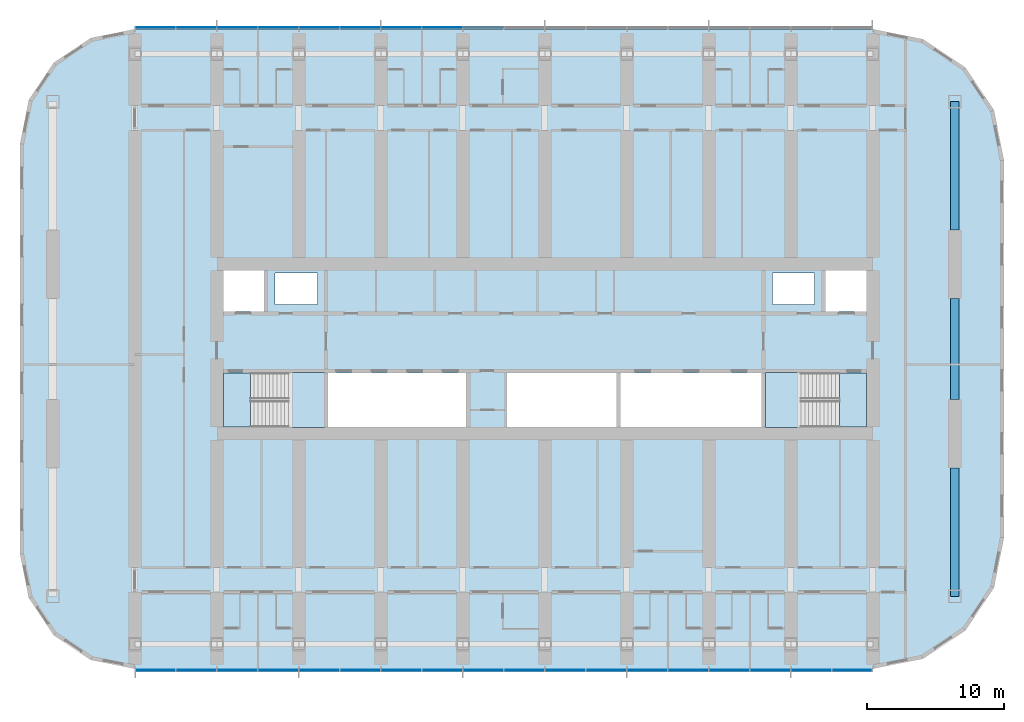
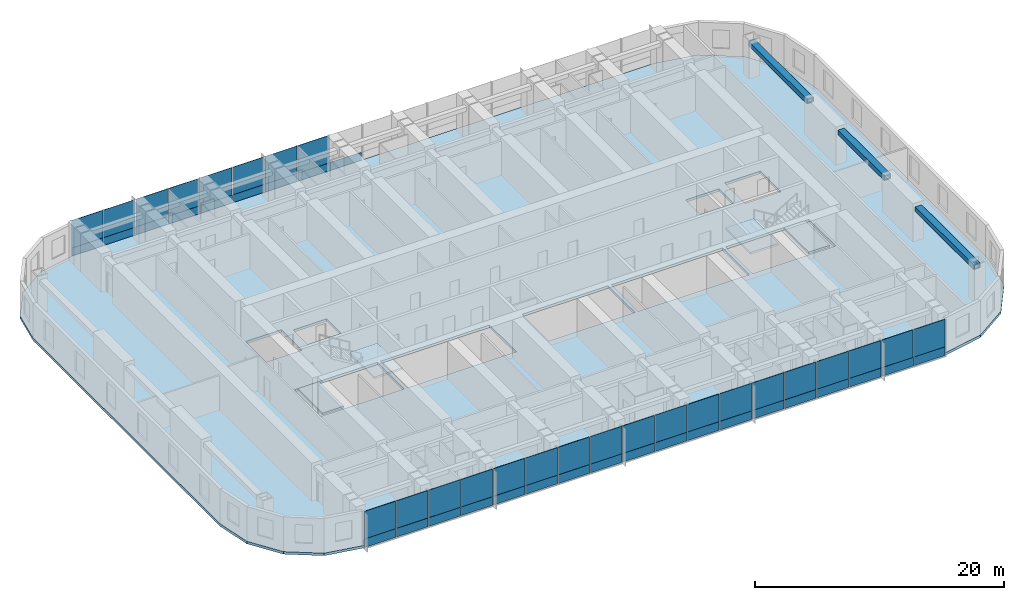
# One storey, part 6 of 20: 53 plates, 5 slabs, 3 beams, 4 elements without a shape of their own.
"""IFC4 building model written with IfcOpenShell, lengths in metres."""

from ifc_helpers import new_model, si_unit, direction, frame, origin, origin_2d, place, context, subcontext, project, spatial, polyline, rectangle, hollow_rectangle, outline, extrude, material, layer, layer_set, material_profile, profile_set, type_object, element, aggregate, save


model = new_model("IFC4")

# Units and contexts
model_context = context("Model", 3, precision=1e-05, world=origin(), true_north=direction((0.0, 1.0)))
body_context = subcontext(model_context, "Body", "Model", "MODEL_VIEW")
ifc_project = project(units=[si_unit("LENGTHUNIT", "METRE"), si_unit("AREAUNIT", "SQUARE_METRE"), si_unit("VOLUMEUNIT", "CUBIC_METRE"), si_unit("PLANEANGLEUNIT", "RADIAN"), si_unit("MASSUNIT", "GRAM", prefix="KILO")], contexts=[model_context])

# Site, building, storey
site_placement = place(None, origin())
site = spatial("IfcSite", under=ifc_project, at=site_placement, CompositionType="ELEMENT")
building_placement = place(site_placement, origin())
building = spatial("IfcBuilding", under=site, at=building_placement, Name="Orbita Commons", CompositionType="ELEMENT")
storey_placement = place(building_placement, frame((0.0, 0.0, 129.39990234375)))
storey = spatial("IfcBuildingStorey", under=building, at=storey_placement, Name="L32", CompositionType="ELEMENT", Elevation=129.39990234375)

# Beams
ifc_material_1 = material(Name="Steel ASTM A572 Gr 50 welded plate", Category="steel")
ifc_material_profile = material_profile(ifc_material_1, hollow_rectangle(XDim=0.60009765625, YDim=0.449951171875, WallThickness=0.06005859375, at=origin_2d()), Name="BOX 450x600x60")
ifc_profile_set = profile_set([ifc_material_profile], Name="Steel ASTM A572 Gr 50 welded plate")
beam_type = type_object("IfcBeamType", Name="Steel end frame link BOX 450x600x60", PredefinedType="BEAM", material=ifc_profile_set)
beam_1_placement = place(storey_placement, frame((72.0, 13.89990234375, 3.175048828125), z_axis=(0.0, 1.0, 0.0), x_axis=(-1.0, 0.0, 0.0)))
element("IfcBeam", 1, at=beam_1_placement, inside=storey, type_object=beam_type, Name="End frame beam 13 B-C L32", PredefinedType="BEAM", context=body_context, shape_type="SweptSolid", body=[
    extrude(hollow_rectangle(XDim=0.60009765625, YDim=0.449951171875, WallThickness=0.06005859375, at=origin_2d()), origin(), (0.0, 0.0, 1.0), 9.400146484375),
])
beam_2_placement = place(storey_placement, frame((72.0, 28.300048828125, 3.175048828125), z_axis=(0.0, 1.0, 0.0), x_axis=(-1.0, 0.0, 0.0)))
element("IfcBeam", 2, at=beam_2_placement, inside=storey, type_object=beam_type, Name="End frame beam 13 C-D L32", PredefinedType="BEAM", context=body_context, shape_type="SweptSolid", body=[
    extrude(hollow_rectangle(XDim=0.60009765625, YDim=0.449951171875, WallThickness=0.06005859375, at=origin_2d()), origin(), (0.0, 0.0, 1.0), 7.39990234375),
])
beam_3_placement = place(storey_placement, frame((72.0, 40.699951171875, 3.175048828125), z_axis=(0.0, 1.0, 0.0), x_axis=(-1.0, 0.0, 0.0)))
element("IfcBeam", 3, at=beam_3_placement, inside=storey, type_object=beam_type, Name="End frame beam 13 D-E L32", PredefinedType="BEAM", context=body_context, shape_type="SweptSolid", body=[
    extrude(hollow_rectangle(XDim=0.60009765625, YDim=0.449951171875, WallThickness=0.06005859375, at=origin_2d()), origin(), (0.0, 0.0, 1.0), 9.400146484375),
])

# Slab
ifc_material_2 = material(Name="Concrete C40/50", Category="concrete")
ifc_layer_1 = layer(ifc_material_2, 0.25)
ifc_layer_set_1 = layer_set([ifc_layer_1], Name="Concrete C40/50")
slab_type_1 = type_object("IfcSlabType", Name="Floor slab 250", PredefinedType="FLOOR", material=ifc_layer_set_1)
slab_1_placement = place(storey_placement, frame((0.0, 0.0, -0.25)))
element("IfcSlab", 4, at=slab_1_placement, inside=storey, type_object=slab_type_1, Name="Floor slab L32", PredefinedType="FLOOR", context=body_context, shape_type="SweptSolid", body=[
    extrude(outline(polyline([(66.0, 8.60009765625), (69.673828125, 9.330810546875), (72.788330078125, 11.411865234375), (74.869140625, 14.526123046875), (75.60009765625, 18.199951171875), (75.60009765625, 45.800048828125), (74.869140625, 49.473876953125), (72.788330078125, 52.588134765625), (69.673828125, 54.669189453125), (66.0, 55.39990234375), (12.0, 55.39990234375), (8.785400390625, 54.760498046875), (6.060302734375, 52.939697265625), (4.239501953125, 50.214599609375), (3.60009765625, 47.0), (3.60009765625, 17.0), (4.239501953125, 13.785400390625), (6.060302734375, 11.060302734375), (8.785400390625, 9.239501953125), (12.0, 8.60009765625), (66.0, 8.60009765625)]), holes=[polyline([(18.14990234375, 25.949951171875), (25.85009765625, 25.949951171875), (25.85009765625, 30.25), (18.14990234375, 30.25), (18.14990234375, 25.949951171875)]), polyline([(58.14990234375, 25.949951171875), (65.85009765625, 25.949951171875), (65.85009765625, 30.25), (58.14990234375, 30.25), (58.14990234375, 25.949951171875)]), polyline([(18.14990234375, 34.75), (21.449951171875, 34.75), (21.449951171875, 38.050048828125), (18.14990234375, 38.050048828125), (18.14990234375, 34.75)]), polyline([(62.550048828125, 34.75), (65.85009765625, 34.75), (65.85009765625, 38.050048828125), (62.550048828125, 38.050048828125), (62.550048828125, 34.75)]), polyline([(22.25, 35.25), (25.35009765625, 35.25), (25.35009765625, 37.550048828125), (22.25, 37.550048828125), (22.25, 35.25)]), polyline([(58.64990234375, 35.25), (61.75, 35.25), (61.75, 37.550048828125), (58.64990234375, 37.550048828125), (58.64990234375, 35.25)]), polyline([(26.14990234375, 25.949951171875), (36.25, 25.949951171875), (36.25, 30.25), (26.14990234375, 30.25), (26.14990234375, 25.949951171875)]), polyline([(39.25, 25.949951171875), (47.25, 25.949951171875), (47.25, 30.25), (39.25, 30.25), (39.25, 25.949951171875)]), polyline([(47.550048828125, 25.949951171875), (57.85009765625, 25.949951171875), (57.85009765625, 30.25), (47.550048828125, 30.25), (47.550048828125, 25.949951171875)])]), origin(), (0.0, 0.0, 1.0), 0.25),
])

# Curtain wall, plates
ifc_material_3 = material(Name="Anodised aluminium frame, pale silver", Category="aluminium")
curtain_wall_type = type_object("IfcCurtainWallType", Name="Unitised curtain wall CW-T, vision and spandrel", PredefinedType="NOTDEFINED", material=ifc_material_3)
curtain_wall_1_placement = place(storey_placement, origin())
curtain_wall_1 = element("IfcCurtainWall", 5, at=curtain_wall_1_placement, inside=storey, type_object=curtain_wall_type, Name="Curtain wall south L32", PredefinedType="NOTDEFINED")
ifc_material_4 = material(Name="Anodised aluminium sheet on mineral wool", Category="aluminium")
ifc_layer_2 = layer(ifc_material_4, 0.050048828125)
ifc_layer_set_2 = layer_set([ifc_layer_2], Name="Anodised aluminium sheet on mineral wool")
plate_type_1 = type_object("IfcPlateType", Name="Spandrel panel, pale aluminium over insulation 50", PredefinedType="CURTAIN_PANEL", material=ifc_layer_set_2)
plate_1_placement = place(storey_placement, frame((13.52001953125, 8.489990234375, -0.14990234375), z_axis=(0.0, 0.0, 1.0), x_axis=(1.0, 0.0, 0.0)))
plate_1 = element("IfcPlate", 6, at=plate_1_placement, type_object=plate_type_1, Name="Panel 1.1 CW-L32-S", PredefinedType="CURTAIN_PANEL", context=body_context, shape_type="SweptSolid", body=[
    extrude(rectangle(XDim=2.8798828125, YDim=0.050048828125, at=origin_2d()), origin(), (0.0, 0.0, 1.0), 0.84912109375),
])
plate_2_placement = place(storey_placement, frame((16.5, 8.489990234375, -0.14990234375), z_axis=(0.0, 0.0, 1.0), x_axis=(1.0, 0.0, 0.0)))
plate_2 = element("IfcPlate", 7, at=plate_2_placement, type_object=plate_type_1, Name="Panel 2.1 CW-L32-S", PredefinedType="CURTAIN_PANEL", context=body_context, shape_type="SweptSolid", body=[
    extrude(rectangle(XDim=2.919921875, YDim=0.050048828125, at=origin_2d()), origin(), (0.0, 0.0, 1.0), 0.84912109375),
])
plate_3_placement = place(storey_placement, frame((19.5, 8.489990234375, -0.14990234375), z_axis=(0.0, 0.0, 1.0), x_axis=(1.0, 0.0, 0.0)))
plate_3 = element("IfcPlate", 8, at=plate_3_placement, type_object=plate_type_1, Name="Panel 3.1 CW-L32-S", PredefinedType="CURTAIN_PANEL", context=body_context, shape_type="SweptSolid", body=[
    extrude(rectangle(XDim=2.919921875, YDim=0.050048828125, at=origin_2d()), origin(), (0.0, 0.0, 1.0), 0.84912109375),
])
plate_4_placement = place(storey_placement, frame((22.5, 8.489990234375, -0.14990234375), z_axis=(0.0, 0.0, 1.0), x_axis=(1.0, 0.0, 0.0)))
plate_4 = element("IfcPlate", 9, at=plate_4_placement, type_object=plate_type_1, Name="Panel 4.1 CW-L32-S", PredefinedType="CURTAIN_PANEL", context=body_context, shape_type="SweptSolid", body=[
    extrude(rectangle(XDim=2.919921875, YDim=0.050048828125, at=origin_2d()), origin(), (0.0, 0.0, 1.0), 0.84912109375),
])
plate_5_placement = place(storey_placement, frame((25.5, 8.489990234375, -0.14990234375), z_axis=(0.0, 0.0, 1.0), x_axis=(1.0, 0.0, 0.0)))
plate_5 = element("IfcPlate", 10, at=plate_5_placement, type_object=plate_type_1, Name="Panel 5.1 CW-L32-S", PredefinedType="CURTAIN_PANEL", context=body_context, shape_type="SweptSolid", body=[
    extrude(rectangle(XDim=2.919921875, YDim=0.050048828125, at=origin_2d()), origin(), (0.0, 0.0, 1.0), 0.84912109375),
])
plate_6_placement = place(storey_placement, frame((28.5, 8.489990234375, -0.14990234375), z_axis=(0.0, 0.0, 1.0), x_axis=(1.0, 0.0, 0.0)))
plate_6 = element("IfcPlate", 11, at=plate_6_placement, type_object=plate_type_1, Name="Panel 6.1 CW-L32-S", PredefinedType="CURTAIN_PANEL", context=body_context, shape_type="SweptSolid", body=[
    extrude(rectangle(XDim=2.919921875, YDim=0.050048828125, at=origin_2d()), origin(), (0.0, 0.0, 1.0), 0.84912109375),
])
plate_7_placement = place(storey_placement, frame((31.5, 8.489990234375, -0.14990234375), z_axis=(0.0, 0.0, 1.0), x_axis=(1.0, 0.0, 0.0)))
plate_7 = element("IfcPlate", 12, at=plate_7_placement, type_object=plate_type_1, Name="Panel 7.1 CW-L32-S", PredefinedType="CURTAIN_PANEL", context=body_context, shape_type="SweptSolid", body=[
    extrude(rectangle(XDim=2.919921875, YDim=0.050048828125, at=origin_2d()), origin(), (0.0, 0.0, 1.0), 0.84912109375),
])
plate_8_placement = place(storey_placement, frame((34.5, 8.489990234375, -0.14990234375), z_axis=(0.0, 0.0, 1.0), x_axis=(1.0, 0.0, 0.0)))
plate_8 = element("IfcPlate", 13, at=plate_8_placement, type_object=plate_type_1, Name="Panel 8.1 CW-L32-S", PredefinedType="CURTAIN_PANEL", context=body_context, shape_type="SweptSolid", body=[
    extrude(rectangle(XDim=2.919921875, YDim=0.050048828125, at=origin_2d()), origin(), (0.0, 0.0, 1.0), 0.84912109375),
])
plate_9_placement = place(storey_placement, frame((37.5, 8.489990234375, -0.14990234375), z_axis=(0.0, 0.0, 1.0), x_axis=(1.0, 0.0, 0.0)))
plate_9 = element("IfcPlate", 14, at=plate_9_placement, type_object=plate_type_1, Name="Panel 9.1 CW-L32-S", PredefinedType="CURTAIN_PANEL", context=body_context, shape_type="SweptSolid", body=[
    extrude(rectangle(XDim=2.919921875, YDim=0.050048828125, at=origin_2d()), origin(), (0.0, 0.0, 1.0), 0.84912109375),
])
plate_10_placement = place(storey_placement, frame((40.5, 8.489990234375, -0.14990234375), z_axis=(0.0, 0.0, 1.0), x_axis=(1.0, 0.0, 0.0)))
plate_10 = element("IfcPlate", 15, at=plate_10_placement, type_object=plate_type_1, Name="Panel 10.1 CW-L32-S", PredefinedType="CURTAIN_PANEL", context=body_context, shape_type="SweptSolid", body=[
    extrude(rectangle(XDim=2.919921875, YDim=0.050048828125, at=origin_2d()), origin(), (0.0, 0.0, 1.0), 0.84912109375),
])
plate_11_placement = place(storey_placement, frame((43.5, 8.489990234375, -0.14990234375), z_axis=(0.0, 0.0, 1.0), x_axis=(1.0, 0.0, 0.0)))
plate_11 = element("IfcPlate", 16, at=plate_11_placement, type_object=plate_type_1, Name="Panel 11.1 CW-L32-S", PredefinedType="CURTAIN_PANEL", context=body_context, shape_type="SweptSolid", body=[
    extrude(rectangle(XDim=2.919921875, YDim=0.050048828125, at=origin_2d()), origin(), (0.0, 0.0, 1.0), 0.84912109375),
])
plate_12_placement = place(storey_placement, frame((46.5, 8.489990234375, -0.14990234375), z_axis=(0.0, 0.0, 1.0), x_axis=(1.0, 0.0, 0.0)))
plate_12 = element("IfcPlate", 17, at=plate_12_placement, type_object=plate_type_1, Name="Panel 12.1 CW-L32-S", PredefinedType="CURTAIN_PANEL", context=body_context, shape_type="SweptSolid", body=[
    extrude(rectangle(XDim=2.919921875, YDim=0.050048828125, at=origin_2d()), origin(), (0.0, 0.0, 1.0), 0.84912109375),
])
plate_13_placement = place(storey_placement, frame((49.5, 8.489990234375, -0.14990234375), z_axis=(0.0, 0.0, 1.0), x_axis=(1.0, 0.0, 0.0)))
plate_13 = element("IfcPlate", 18, at=plate_13_placement, type_object=plate_type_1, Name="Panel 13.1 CW-L32-S", PredefinedType="CURTAIN_PANEL", context=body_context, shape_type="SweptSolid", body=[
    extrude(rectangle(XDim=2.919921875, YDim=0.050048828125, at=origin_2d()), origin(), (0.0, 0.0, 1.0), 0.84912109375),
])
plate_14_placement = place(storey_placement, frame((52.5, 8.489990234375, -0.14990234375), z_axis=(0.0, 0.0, 1.0), x_axis=(1.0, 0.0, 0.0)))
plate_14 = element("IfcPlate", 19, at=plate_14_placement, type_object=plate_type_1, Name="Panel 14.1 CW-L32-S", PredefinedType="CURTAIN_PANEL", context=body_context, shape_type="SweptSolid", body=[
    extrude(rectangle(XDim=2.919921875, YDim=0.050048828125, at=origin_2d()), origin(), (0.0, 0.0, 1.0), 0.84912109375),
])
plate_15_placement = place(storey_placement, frame((55.5, 8.489990234375, -0.14990234375), z_axis=(0.0, 0.0, 1.0), x_axis=(1.0, 0.0, 0.0)))
plate_15 = element("IfcPlate", 20, at=plate_15_placement, type_object=plate_type_1, Name="Panel 15.1 CW-L32-S", PredefinedType="CURTAIN_PANEL", context=body_context, shape_type="SweptSolid", body=[
    extrude(rectangle(XDim=2.919921875, YDim=0.050048828125, at=origin_2d()), origin(), (0.0, 0.0, 1.0), 0.84912109375),
])
plate_16_placement = place(storey_placement, frame((58.5, 8.489990234375, -0.14990234375), z_axis=(0.0, 0.0, 1.0), x_axis=(1.0, 0.0, 0.0)))
plate_16 = element("IfcPlate", 21, at=plate_16_placement, type_object=plate_type_1, Name="Panel 16.1 CW-L32-S", PredefinedType="CURTAIN_PANEL", context=body_context, shape_type="SweptSolid", body=[
    extrude(rectangle(XDim=2.919921875, YDim=0.050048828125, at=origin_2d()), origin(), (0.0, 0.0, 1.0), 0.84912109375),
])
plate_17_placement = place(storey_placement, frame((61.5, 8.489990234375, -0.14990234375), z_axis=(0.0, 0.0, 1.0), x_axis=(1.0, 0.0, 0.0)))
plate_17 = element("IfcPlate", 22, at=plate_17_placement, type_object=plate_type_1, Name="Panel 17.1 CW-L32-S", PredefinedType="CURTAIN_PANEL", context=body_context, shape_type="SweptSolid", body=[
    extrude(rectangle(XDim=2.919921875, YDim=0.050048828125, at=origin_2d()), origin(), (0.0, 0.0, 1.0), 0.84912109375),
])
plate_18_placement = place(storey_placement, frame((64.47998046875, 8.489990234375, -0.14990234375), z_axis=(0.0, 0.0, 1.0), x_axis=(1.0, 0.0, 0.0)))
plate_18 = element("IfcPlate", 23, at=plate_18_placement, type_object=plate_type_1, Name="Panel 18.1 CW-L32-S", PredefinedType="CURTAIN_PANEL", context=body_context, shape_type="SweptSolid", body=[
    extrude(rectangle(XDim=2.8798828125, YDim=0.050048828125, at=origin_2d()), origin(), (0.0, 0.0, 1.0), 0.84912109375),
])

curtain_wall_2_placement = place(storey_placement, origin())
curtain_wall_2 = element("IfcCurtainWall", 24, at=curtain_wall_2_placement, inside=storey, type_object=curtain_wall_type, Name="Curtain wall north L32", PredefinedType="NOTDEFINED")
plate_19_placement = place(storey_placement, frame((37.5, 55.510009765625, -0.14990234375), z_axis=(0.0, 0.0, 1.0), x_axis=(-1.0, 0.0, 0.0)))
plate_19 = element("IfcPlate", 25, at=plate_19_placement, type_object=plate_type_1, Name="Panel 10.1 CW-L32-N", PredefinedType="CURTAIN_PANEL", context=body_context, shape_type="SweptSolid", body=[
    extrude(rectangle(XDim=2.919921875, YDim=0.050048828125, at=origin_2d()), origin(), (0.0, 0.0, 1.0), 0.84912109375),
])
plate_20_placement = place(storey_placement, frame((34.5, 55.510009765625, -0.14990234375), z_axis=(0.0, 0.0, 1.0), x_axis=(-1.0, 0.0, 0.0)))
plate_20 = element("IfcPlate", 26, at=plate_20_placement, type_object=plate_type_1, Name="Panel 11.1 CW-L32-N", PredefinedType="CURTAIN_PANEL", context=body_context, shape_type="SweptSolid", body=[
    extrude(rectangle(XDim=2.919921875, YDim=0.050048828125, at=origin_2d()), origin(), (0.0, 0.0, 1.0), 0.84912109375),
])
plate_21_placement = place(storey_placement, frame((31.5, 55.510009765625, -0.14990234375), z_axis=(0.0, 0.0, 1.0), x_axis=(-1.0, 0.0, 0.0)))
plate_21 = element("IfcPlate", 27, at=plate_21_placement, type_object=plate_type_1, Name="Panel 12.1 CW-L32-N", PredefinedType="CURTAIN_PANEL", context=body_context, shape_type="SweptSolid", body=[
    extrude(rectangle(XDim=2.919921875, YDim=0.050048828125, at=origin_2d()), origin(), (0.0, 0.0, 1.0), 0.84912109375),
])
plate_22_placement = place(storey_placement, frame((28.5, 55.510009765625, -0.14990234375), z_axis=(0.0, 0.0, 1.0), x_axis=(-1.0, 0.0, 0.0)))
plate_22 = element("IfcPlate", 28, at=plate_22_placement, type_object=plate_type_1, Name="Panel 13.1 CW-L32-N", PredefinedType="CURTAIN_PANEL", context=body_context, shape_type="SweptSolid", body=[
    extrude(rectangle(XDim=2.919921875, YDim=0.050048828125, at=origin_2d()), origin(), (0.0, 0.0, 1.0), 0.84912109375),
])
plate_23_placement = place(storey_placement, frame((25.5, 55.510009765625, -0.14990234375), z_axis=(0.0, 0.0, 1.0), x_axis=(-1.0, 0.0, 0.0)))
plate_23 = element("IfcPlate", 29, at=plate_23_placement, type_object=plate_type_1, Name="Panel 14.1 CW-L32-N", PredefinedType="CURTAIN_PANEL", context=body_context, shape_type="SweptSolid", body=[
    extrude(rectangle(XDim=2.919921875, YDim=0.050048828125, at=origin_2d()), origin(), (0.0, 0.0, 1.0), 0.84912109375),
])
plate_24_placement = place(storey_placement, frame((22.5, 55.510009765625, -0.14990234375), z_axis=(0.0, 0.0, 1.0), x_axis=(-1.0, 0.0, 0.0)))
plate_24 = element("IfcPlate", 30, at=plate_24_placement, type_object=plate_type_1, Name="Panel 15.1 CW-L32-N", PredefinedType="CURTAIN_PANEL", context=body_context, shape_type="SweptSolid", body=[
    extrude(rectangle(XDim=2.919921875, YDim=0.050048828125, at=origin_2d()), origin(), (0.0, 0.0, 1.0), 0.84912109375),
])
plate_25_placement = place(storey_placement, frame((19.5, 55.510009765625, -0.14990234375), z_axis=(0.0, 0.0, 1.0), x_axis=(-1.0, 0.0, 0.0)))
plate_25 = element("IfcPlate", 31, at=plate_25_placement, type_object=plate_type_1, Name="Panel 16.1 CW-L32-N", PredefinedType="CURTAIN_PANEL", context=body_context, shape_type="SweptSolid", body=[
    extrude(rectangle(XDim=2.919921875, YDim=0.050048828125, at=origin_2d()), origin(), (0.0, 0.0, 1.0), 0.84912109375),
])
plate_26_placement = place(storey_placement, frame((16.5, 55.510009765625, -0.14990234375), z_axis=(0.0, 0.0, 1.0), x_axis=(-1.0, 0.0, 0.0)))
plate_26 = element("IfcPlate", 32, at=plate_26_placement, type_object=plate_type_1, Name="Panel 17.1 CW-L32-N", PredefinedType="CURTAIN_PANEL", context=body_context, shape_type="SweptSolid", body=[
    extrude(rectangle(XDim=2.919921875, YDim=0.050048828125, at=origin_2d()), origin(), (0.0, 0.0, 1.0), 0.84912109375),
])
plate_27_placement = place(storey_placement, frame((13.52001953125, 55.510009765625, -0.14990234375), z_axis=(0.0, 0.0, 1.0), x_axis=(-1.0, 0.0, 0.0)))
plate_27 = element("IfcPlate", 33, at=plate_27_placement, type_object=plate_type_1, Name="Panel 18.1 CW-L32-N", PredefinedType="CURTAIN_PANEL", context=body_context, shape_type="SweptSolid", body=[
    extrude(rectangle(XDim=2.8798828125, YDim=0.050048828125, at=origin_2d()), origin(), (0.0, 0.0, 1.0), 0.84912109375),
])

# Stair, slabs
ifc_material_5 = material(Name="Precast concrete C40/50", Category="concrete")
stair_type_1 = type_object("IfcStairType", Name="Exit stair S1 2 flights 11 risers 170", PredefinedType="HALF_TURN_STAIR", material=ifc_material_5)
stair_1_placement = place(storey_placement, origin())
stair_1 = element("IfcStair", 34, at=stair_1_placement, inside=storey, type_object=stair_type_1, Name="Exit stair S1 L32", PredefinedType="HALF_TURN_STAIR")
ifc_material_6 = material(Name="Concrete C40/50", Category="concrete")
ifc_layer_3 = layer(ifc_material_6, 0.199951171875)
ifc_layer_set_3 = layer_set([ifc_layer_3], Name="Concrete C40/50")
slab_type_2 = type_object("IfcSlabType", Name="Stair landing 200", PredefinedType="LANDING", material=ifc_layer_set_3)
slab_2_placement = place(storey_placement, frame((0.0, 0.0, -0.199951171875)))
slab_2 = element("IfcSlab", 35, at=slab_2_placement, type_object=slab_type_2, Name="S1 landing 1", PredefinedType="LANDING", context=body_context, shape_type="SweptSolid", body=[
    extrude(outline(polyline([(18.47509765625, 26.27490234375), (20.449951171875, 26.27490234375), (20.449951171875, 30.25), (18.47509765625, 30.25), (18.47509765625, 26.27490234375)])), origin(), (0.0, 0.0, 1.0), 0.199951171875),
])
slab_3_placement = place(storey_placement, frame((0.0, 0.0, 1.675048828125)))
slab_3 = element("IfcSlab", 36, at=slab_3_placement, type_object=slab_type_2, Name="S1 landing 2", PredefinedType="LANDING", context=body_context, shape_type="SweptSolid", body=[
    extrude(outline(polyline([(23.25, 26.260009765625), (25.864990234375, 26.260009765625), (25.864990234375, 30.264892578125), (23.25, 30.264892578125), (23.25, 26.260009765625)])), origin(), (0.0, 0.0, 1.0), 0.199951171875),
])
aggregate(stair_1, [slab_2, slab_3])

ifc_material_7 = material(Name="Precast concrete C40/50", Category="concrete")
stair_type_2 = type_object("IfcStairType", Name="Exit stair S2 2 flights 11 risers 170", PredefinedType="HALF_TURN_STAIR", material=ifc_material_7)
stair_2_placement = place(storey_placement, origin())
stair_2 = element("IfcStair", 37, at=stair_2_placement, inside=storey, type_object=stair_type_2, Name="Exit stair S2 L32", PredefinedType="HALF_TURN_STAIR")
slab_4_placement = place(storey_placement, frame((0.0, 0.0, -0.199951171875)))
slab_4 = element("IfcSlab", 38, at=slab_4_placement, type_object=slab_type_2, Name="S2 landing 1", PredefinedType="LANDING", context=body_context, shape_type="SweptSolid", body=[
    extrude(outline(polyline([(63.550048828125, 26.27490234375), (65.52490234375, 26.27490234375), (65.52490234375, 30.25), (63.550048828125, 30.25), (63.550048828125, 26.27490234375)])), origin(), (0.0, 0.0, 1.0), 0.199951171875),
])
slab_5_placement = place(storey_placement, frame((0.0, 0.0, 1.675048828125)))
slab_5 = element("IfcSlab", 39, at=slab_5_placement, type_object=slab_type_2, Name="S2 landing 2", PredefinedType="LANDING", context=body_context, shape_type="SweptSolid", body=[
    extrude(outline(polyline([(58.135009765625, 26.260009765625), (60.75, 26.260009765625), (60.75, 30.264892578125), (58.135009765625, 30.264892578125), (58.135009765625, 26.260009765625)])), origin(), (0.0, 0.0, 1.0), 0.199951171875),
])
aggregate(stair_2, [slab_4, slab_5])

# Plate
ifc_material_8 = material(Name="Clear double glazing", Category="glass")
ifc_layer_4 = layer(ifc_material_8, 0.031982421875)
ifc_layer_set_4 = layer_set([ifc_layer_4], Name="Clear double glazing")
plate_type_2 = type_object("IfcPlateType", Name="Vision panel, clear double glazing 32", PredefinedType="CURTAIN_PANEL", material=ifc_layer_set_4)
plate_28_placement = place(storey_placement, frame((13.52001953125, 8.489990234375, 0.69921875), z_axis=(0.0, 0.0, 1.0), x_axis=(1.0, 0.0, 0.0)))
plate_28 = element("IfcPlate", 40, at=plate_28_placement, type_object=plate_type_2, Name="Panel 1.2 CW-L32-S", PredefinedType="CURTAIN_PANEL", context=body_context, shape_type="SweptSolid", body=[
    extrude(rectangle(XDim=2.8798828125, YDim=0.031982421875, at=origin_2d()), origin(), (0.0, 0.0, 1.0), 2.700927734375),
])

plate_29_placement = place(storey_placement, frame((16.5, 8.489990234375, 0.69921875), z_axis=(0.0, 0.0, 1.0), x_axis=(1.0, 0.0, 0.0)))
plate_29 = element("IfcPlate", 41, at=plate_29_placement, type_object=plate_type_2, Name="Panel 2.2 CW-L32-S", PredefinedType="CURTAIN_PANEL", context=body_context, shape_type="SweptSolid", body=[
    extrude(rectangle(XDim=2.919921875, YDim=0.031982421875, at=origin_2d()), origin(), (0.0, 0.0, 1.0), 2.700927734375),
])

plate_30_placement = place(storey_placement, frame((19.5, 8.489990234375, 0.69921875), z_axis=(0.0, 0.0, 1.0), x_axis=(1.0, 0.0, 0.0)))
plate_30 = element("IfcPlate", 42, at=plate_30_placement, type_object=plate_type_2, Name="Panel 3.2 CW-L32-S", PredefinedType="CURTAIN_PANEL", context=body_context, shape_type="SweptSolid", body=[
    extrude(rectangle(XDim=2.919921875, YDim=0.031982421875, at=origin_2d()), origin(), (0.0, 0.0, 1.0), 2.700927734375),
])

plate_31_placement = place(storey_placement, frame((22.5, 8.489990234375, 0.69921875), z_axis=(0.0, 0.0, 1.0), x_axis=(1.0, 0.0, 0.0)))
plate_31 = element("IfcPlate", 43, at=plate_31_placement, type_object=plate_type_2, Name="Panel 4.2 CW-L32-S", PredefinedType="CURTAIN_PANEL", context=body_context, shape_type="SweptSolid", body=[
    extrude(rectangle(XDim=2.919921875, YDim=0.031982421875, at=origin_2d()), origin(), (0.0, 0.0, 1.0), 2.700927734375),
])

plate_32_placement = place(storey_placement, frame((25.5, 8.489990234375, 0.69921875), z_axis=(0.0, 0.0, 1.0), x_axis=(1.0, 0.0, 0.0)))
plate_32 = element("IfcPlate", 44, at=plate_32_placement, type_object=plate_type_2, Name="Panel 5.2 CW-L32-S", PredefinedType="CURTAIN_PANEL", context=body_context, shape_type="SweptSolid", body=[
    extrude(rectangle(XDim=2.919921875, YDim=0.031982421875, at=origin_2d()), origin(), (0.0, 0.0, 1.0), 2.700927734375),
])

plate_33_placement = place(storey_placement, frame((28.5, 8.489990234375, 0.69921875), z_axis=(0.0, 0.0, 1.0), x_axis=(1.0, 0.0, 0.0)))
plate_33 = element("IfcPlate", 45, at=plate_33_placement, type_object=plate_type_2, Name="Panel 6.2 CW-L32-S", PredefinedType="CURTAIN_PANEL", context=body_context, shape_type="SweptSolid", body=[
    extrude(rectangle(XDim=2.919921875, YDim=0.031982421875, at=origin_2d()), origin(), (0.0, 0.0, 1.0), 2.700927734375),
])

plate_34_placement = place(storey_placement, frame((31.5, 8.489990234375, 0.69921875), z_axis=(0.0, 0.0, 1.0), x_axis=(1.0, 0.0, 0.0)))
plate_34 = element("IfcPlate", 46, at=plate_34_placement, type_object=plate_type_2, Name="Panel 7.2 CW-L32-S", PredefinedType="CURTAIN_PANEL", context=body_context, shape_type="SweptSolid", body=[
    extrude(rectangle(XDim=2.919921875, YDim=0.031982421875, at=origin_2d()), origin(), (0.0, 0.0, 1.0), 2.700927734375),
])

plate_35_placement = place(storey_placement, frame((34.5, 8.489990234375, 0.69921875), z_axis=(0.0, 0.0, 1.0), x_axis=(1.0, 0.0, 0.0)))
plate_35 = element("IfcPlate", 47, at=plate_35_placement, type_object=plate_type_2, Name="Panel 8.2 CW-L32-S", PredefinedType="CURTAIN_PANEL", context=body_context, shape_type="SweptSolid", body=[
    extrude(rectangle(XDim=2.919921875, YDim=0.031982421875, at=origin_2d()), origin(), (0.0, 0.0, 1.0), 2.700927734375),
])

plate_36_placement = place(storey_placement, frame((37.5, 8.489990234375, 0.69921875), z_axis=(0.0, 0.0, 1.0), x_axis=(1.0, 0.0, 0.0)))
plate_36 = element("IfcPlate", 48, at=plate_36_placement, type_object=plate_type_2, Name="Panel 9.2 CW-L32-S", PredefinedType="CURTAIN_PANEL", context=body_context, shape_type="SweptSolid", body=[
    extrude(rectangle(XDim=2.919921875, YDim=0.031982421875, at=origin_2d()), origin(), (0.0, 0.0, 1.0), 2.700927734375),
])

plate_37_placement = place(storey_placement, frame((40.5, 8.489990234375, 0.69921875), z_axis=(0.0, 0.0, 1.0), x_axis=(1.0, 0.0, 0.0)))
plate_37 = element("IfcPlate", 49, at=plate_37_placement, type_object=plate_type_2, Name="Panel 10.2 CW-L32-S", PredefinedType="CURTAIN_PANEL", context=body_context, shape_type="SweptSolid", body=[
    extrude(rectangle(XDim=2.919921875, YDim=0.031982421875, at=origin_2d()), origin(), (0.0, 0.0, 1.0), 2.700927734375),
])

plate_38_placement = place(storey_placement, frame((43.5, 8.489990234375, 0.69921875), z_axis=(0.0, 0.0, 1.0), x_axis=(1.0, 0.0, 0.0)))
plate_38 = element("IfcPlate", 50, at=plate_38_placement, type_object=plate_type_2, Name="Panel 11.2 CW-L32-S", PredefinedType="CURTAIN_PANEL", context=body_context, shape_type="SweptSolid", body=[
    extrude(rectangle(XDim=2.919921875, YDim=0.031982421875, at=origin_2d()), origin(), (0.0, 0.0, 1.0), 2.700927734375),
])

plate_39_placement = place(storey_placement, frame((46.5, 8.489990234375, 0.69921875), z_axis=(0.0, 0.0, 1.0), x_axis=(1.0, 0.0, 0.0)))
plate_39 = element("IfcPlate", 51, at=plate_39_placement, type_object=plate_type_2, Name="Panel 12.2 CW-L32-S", PredefinedType="CURTAIN_PANEL", context=body_context, shape_type="SweptSolid", body=[
    extrude(rectangle(XDim=2.919921875, YDim=0.031982421875, at=origin_2d()), origin(), (0.0, 0.0, 1.0), 2.700927734375),
])

plate_40_placement = place(storey_placement, frame((49.5, 8.489990234375, 0.69921875), z_axis=(0.0, 0.0, 1.0), x_axis=(1.0, 0.0, 0.0)))
plate_40 = element("IfcPlate", 52, at=plate_40_placement, type_object=plate_type_2, Name="Panel 13.2 CW-L32-S", PredefinedType="CURTAIN_PANEL", context=body_context, shape_type="SweptSolid", body=[
    extrude(rectangle(XDim=2.919921875, YDim=0.031982421875, at=origin_2d()), origin(), (0.0, 0.0, 1.0), 2.700927734375),
])

plate_41_placement = place(storey_placement, frame((52.5, 8.489990234375, 0.69921875), z_axis=(0.0, 0.0, 1.0), x_axis=(1.0, 0.0, 0.0)))
plate_41 = element("IfcPlate", 53, at=plate_41_placement, type_object=plate_type_2, Name="Panel 14.2 CW-L32-S", PredefinedType="CURTAIN_PANEL", context=body_context, shape_type="SweptSolid", body=[
    extrude(rectangle(XDim=2.919921875, YDim=0.031982421875, at=origin_2d()), origin(), (0.0, 0.0, 1.0), 2.700927734375),
])

plate_42_placement = place(storey_placement, frame((55.5, 8.489990234375, 0.69921875), z_axis=(0.0, 0.0, 1.0), x_axis=(1.0, 0.0, 0.0)))
plate_42 = element("IfcPlate", 54, at=plate_42_placement, type_object=plate_type_2, Name="Panel 15.2 CW-L32-S", PredefinedType="CURTAIN_PANEL", context=body_context, shape_type="SweptSolid", body=[
    extrude(rectangle(XDim=2.919921875, YDim=0.031982421875, at=origin_2d()), origin(), (0.0, 0.0, 1.0), 2.700927734375),
])

plate_43_placement = place(storey_placement, frame((58.5, 8.489990234375, 0.69921875), z_axis=(0.0, 0.0, 1.0), x_axis=(1.0, 0.0, 0.0)))
plate_43 = element("IfcPlate", 55, at=plate_43_placement, type_object=plate_type_2, Name="Panel 16.2 CW-L32-S", PredefinedType="CURTAIN_PANEL", context=body_context, shape_type="SweptSolid", body=[
    extrude(rectangle(XDim=2.919921875, YDim=0.031982421875, at=origin_2d()), origin(), (0.0, 0.0, 1.0), 2.700927734375),
])

plate_44_placement = place(storey_placement, frame((61.5, 8.489990234375, 0.69921875), z_axis=(0.0, 0.0, 1.0), x_axis=(1.0, 0.0, 0.0)))
plate_44 = element("IfcPlate", 56, at=plate_44_placement, type_object=plate_type_2, Name="Panel 17.2 CW-L32-S", PredefinedType="CURTAIN_PANEL", context=body_context, shape_type="SweptSolid", body=[
    extrude(rectangle(XDim=2.919921875, YDim=0.031982421875, at=origin_2d()), origin(), (0.0, 0.0, 1.0), 2.700927734375),
])

plate_45_placement = place(storey_placement, frame((64.47998046875, 8.489990234375, 0.69921875), z_axis=(0.0, 0.0, 1.0), x_axis=(1.0, 0.0, 0.0)))
plate_45 = element("IfcPlate", 57, at=plate_45_placement, type_object=plate_type_2, Name="Panel 18.2 CW-L32-S", PredefinedType="CURTAIN_PANEL", context=body_context, shape_type="SweptSolid", body=[
    extrude(rectangle(XDim=2.8798828125, YDim=0.031982421875, at=origin_2d()), origin(), (0.0, 0.0, 1.0), 2.700927734375),
])

aggregate(curtain_wall_1, [plate_1, plate_28, plate_2, plate_29, plate_3, plate_30, plate_4, plate_31, plate_5, plate_32, plate_6, plate_33, plate_7, plate_34, plate_8, plate_35, plate_9, plate_36, plate_10, plate_37, plate_11, plate_38, plate_12, plate_39, plate_13, plate_40, plate_14, plate_41, plate_15, plate_42, plate_16, plate_43, plate_17, plate_44, plate_18, plate_45])

plate_46_placement = place(storey_placement, frame((34.5, 55.510009765625, 0.69921875), z_axis=(0.0, 0.0, 1.0), x_axis=(-1.0, 0.0, 0.0)))
plate_46 = element("IfcPlate", 58, at=plate_46_placement, type_object=plate_type_2, Name="Panel 11.2 CW-L32-N", PredefinedType="CURTAIN_PANEL", context=body_context, shape_type="SweptSolid", body=[
    extrude(rectangle(XDim=2.919921875, YDim=0.031982421875, at=origin_2d()), origin(), (0.0, 0.0, 1.0), 2.700927734375),
])

plate_47_placement = place(storey_placement, frame((31.5, 55.510009765625, 0.69921875), z_axis=(0.0, 0.0, 1.0), x_axis=(-1.0, 0.0, 0.0)))
plate_47 = element("IfcPlate", 59, at=plate_47_placement, type_object=plate_type_2, Name="Panel 12.2 CW-L32-N", PredefinedType="CURTAIN_PANEL", context=body_context, shape_type="SweptSolid", body=[
    extrude(rectangle(XDim=2.919921875, YDim=0.031982421875, at=origin_2d()), origin(), (0.0, 0.0, 1.0), 2.700927734375),
])

plate_48_placement = place(storey_placement, frame((28.5, 55.510009765625, 0.69921875), z_axis=(0.0, 0.0, 1.0), x_axis=(-1.0, 0.0, 0.0)))
plate_48 = element("IfcPlate", 60, at=plate_48_placement, type_object=plate_type_2, Name="Panel 13.2 CW-L32-N", PredefinedType="CURTAIN_PANEL", context=body_context, shape_type="SweptSolid", body=[
    extrude(rectangle(XDim=2.919921875, YDim=0.031982421875, at=origin_2d()), origin(), (0.0, 0.0, 1.0), 2.700927734375),
])

plate_49_placement = place(storey_placement, frame((25.5, 55.510009765625, 0.69921875), z_axis=(0.0, 0.0, 1.0), x_axis=(-1.0, 0.0, 0.0)))
plate_49 = element("IfcPlate", 61, at=plate_49_placement, type_object=plate_type_2, Name="Panel 14.2 CW-L32-N", PredefinedType="CURTAIN_PANEL", context=body_context, shape_type="SweptSolid", body=[
    extrude(rectangle(XDim=2.919921875, YDim=0.031982421875, at=origin_2d()), origin(), (0.0, 0.0, 1.0), 2.700927734375),
])

plate_50_placement = place(storey_placement, frame((22.5, 55.510009765625, 0.69921875), z_axis=(0.0, 0.0, 1.0), x_axis=(-1.0, 0.0, 0.0)))
plate_50 = element("IfcPlate", 62, at=plate_50_placement, type_object=plate_type_2, Name="Panel 15.2 CW-L32-N", PredefinedType="CURTAIN_PANEL", context=body_context, shape_type="SweptSolid", body=[
    extrude(rectangle(XDim=2.919921875, YDim=0.031982421875, at=origin_2d()), origin(), (0.0, 0.0, 1.0), 2.700927734375),
])

plate_51_placement = place(storey_placement, frame((19.5, 55.510009765625, 0.69921875), z_axis=(0.0, 0.0, 1.0), x_axis=(-1.0, 0.0, 0.0)))
plate_51 = element("IfcPlate", 63, at=plate_51_placement, type_object=plate_type_2, Name="Panel 16.2 CW-L32-N", PredefinedType="CURTAIN_PANEL", context=body_context, shape_type="SweptSolid", body=[
    extrude(rectangle(XDim=2.919921875, YDim=0.031982421875, at=origin_2d()), origin(), (0.0, 0.0, 1.0), 2.700927734375),
])

plate_52_placement = place(storey_placement, frame((16.5, 55.510009765625, 0.69921875), z_axis=(0.0, 0.0, 1.0), x_axis=(-1.0, 0.0, 0.0)))
plate_52 = element("IfcPlate", 64, at=plate_52_placement, type_object=plate_type_2, Name="Panel 17.2 CW-L32-N", PredefinedType="CURTAIN_PANEL", context=body_context, shape_type="SweptSolid", body=[
    extrude(rectangle(XDim=2.919921875, YDim=0.031982421875, at=origin_2d()), origin(), (0.0, 0.0, 1.0), 2.700927734375),
])

plate_53_placement = place(storey_placement, frame((13.52001953125, 55.510009765625, 0.69921875), z_axis=(0.0, 0.0, 1.0), x_axis=(-1.0, 0.0, 0.0)))
plate_53 = element("IfcPlate", 65, at=plate_53_placement, type_object=plate_type_2, Name="Panel 18.2 CW-L32-N", PredefinedType="CURTAIN_PANEL", context=body_context, shape_type="SweptSolid", body=[
    extrude(rectangle(XDim=2.8798828125, YDim=0.031982421875, at=origin_2d()), origin(), (0.0, 0.0, 1.0), 2.700927734375),
])

aggregate(curtain_wall_2, [plate_19, plate_20, plate_46, plate_21, plate_47, plate_22, plate_48, plate_23, plate_49, plate_24, plate_50, plate_25, plate_51, plate_26, plate_52, plate_27, plate_53])

save(model, "model.ifc")
